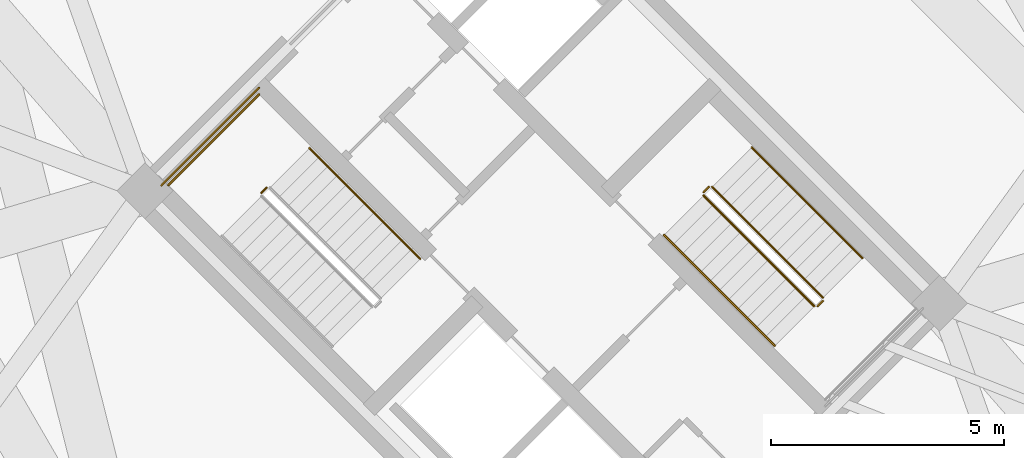
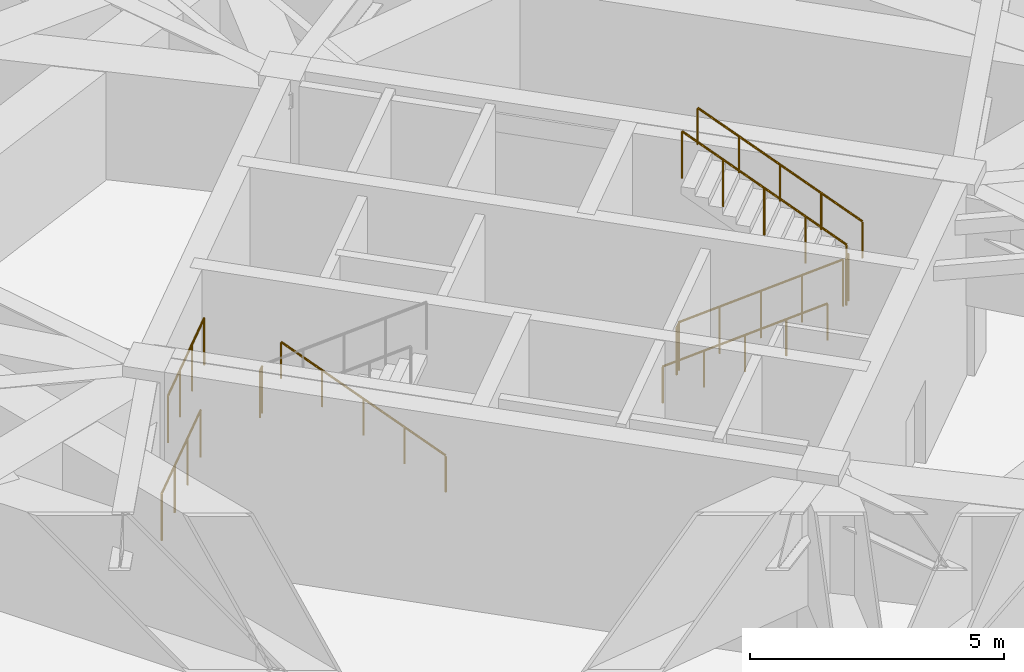
# One storey, part 24 of 25: 10 railings.
"""IFC4 building model written with IfcOpenShell, lengths in metres."""

from ifc_helpers import new_model, si_unit, direction, frame, origin, origin_2d, place, context, subcontext, project, spatial, circle, extrude, material, type_object, element, save


model = new_model("IFC4")

# Units and contexts
model_context = context("Model", 3, precision=1e-05, world=origin(), true_north=direction((0.0, 1.0)))
body_context = subcontext(model_context, "Body", "Model", "MODEL_VIEW")
ifc_project = project(units=[si_unit("LENGTHUNIT", "METRE"), si_unit("AREAUNIT", "SQUARE_METRE"), si_unit("VOLUMEUNIT", "CUBIC_METRE"), si_unit("PLANEANGLEUNIT", "RADIAN"), si_unit("MASSUNIT", "GRAM", prefix="KILO")], contexts=[model_context])

# Site, building, storey
site_placement = place(None, origin())
site = spatial("IfcSite", under=ifc_project, at=site_placement, CompositionType="ELEMENT")
building_placement = place(site_placement, origin())
building = spatial("IfcBuilding", under=site, at=building_placement, Name="Cununo Teusaquillo Station Towers", CompositionType="ELEMENT")
storey_placement = place(building_placement, frame((0.0, 0.0, 17.39990234375)))
storey = spatial("IfcBuildingStorey", under=building, at=storey_placement, Name="L04", CompositionType="ELEMENT", Elevation=17.39990234375)

# Railings
ifc_material_1 = material(Name="Steel EN 10025-2 S355J2", Category="steel")
railing_type_1 = type_object("IfcRailingType", Name="RL-INT-GUARD", PredefinedType="GUARDRAIL", material=ifc_material_1)
railing_1_placement = place(storey_placement, frame((51.588623046875, 25.772705078125, 2.300048828125)))
element("IfcRailing", 1, at=railing_1_placement, inside=storey, type_object=railing_type_1, Name="L04 ST-T2-1 stair guard 2", PredefinedType="GUARDRAIL", context=body_context, shape_type="SweptSolid", body=[
    extrude(circle(Radius=0.02392578125, at=origin_2d()), frame((0.0, 0.0, 1.1259765625), z_axis=(-0.707106781187, -0.707106781187, 0.0), x_axis=(0.707106781187, -0.707106781187, 0.0)), (0.0, 0.0, 1.0), 0.159912109375),
    extrude(circle(Radius=0.02099609375, at=origin_2d()), origin(), (0.0, 0.0, 1.0), 1.101806640625),
    extrude(circle(Radius=0.02099609375, at=origin_2d()), frame((-0.113037109375, -0.113037109375, 0.0)), (0.0, 0.0, 1.0), 1.101806640625),
])
railing_2_placement = place(storey_placement, frame((51.426025390625, 27.77392578125, 2.300048828125)))
element("IfcRailing", 2, at=railing_2_placement, inside=storey, type_object=railing_type_1, Name="L04 ST-T2-1 stair guard 3", PredefinedType="GUARDRAIL", context=body_context, shape_type="SweptSolid", body=[
    extrude(circle(Radius=0.02392578125, at=origin_2d()), frame((0.0, 0.0, 1.1259765625), z_axis=(-0.707106781187, -0.707106781187, 0.0), x_axis=(0.707106781187, -0.707106781187, 0.0)), (0.0, 0.0, 1.0), 2.760009765625),
    extrude(circle(Radius=0.02099609375, at=origin_2d()), origin(), (0.0, 0.0, 1.0), 1.101806640625),
    extrude(circle(Radius=0.02099609375, at=origin_2d()), frame((-0.650634765625, -0.650634765625, 0.0)), (0.0, 0.0, 1.0), 1.101806640625),
    extrude(circle(Radius=0.02099609375, at=origin_2d()), frame((-1.301025390625, -1.301025390625, 0.0)), (0.0, 0.0, 1.0), 1.101806640625),
    extrude(circle(Radius=0.02099609375, at=origin_2d()), frame((-1.95166015625, -1.95166015625, 0.0)), (0.0, 0.0, 1.0), 1.101806640625),
])
railing_3_placement = place(storey_placement, frame((51.426025390625, 27.915283203125, 0.0)))
element("IfcRailing", 3, at=railing_3_placement, inside=storey, type_object=railing_type_1, Name="L04 ST-T2-1 stair guard 6", PredefinedType="GUARDRAIL", context=body_context, shape_type="SweptSolid", body=[
    extrude(circle(Radius=0.02392578125, at=origin_2d()), frame((0.0, 0.0, 1.1259765625), z_axis=(-0.707106781187, -0.707106781187, 0.0), x_axis=(0.707106781187, -0.707106781187, 0.0)), (0.0, 0.0, 1.0), 2.9599609375),
    extrude(circle(Radius=0.02099609375, at=origin_2d()), origin(), (0.0, 0.0, 1.0), 1.101806640625),
    extrude(circle(Radius=0.02099609375, at=origin_2d()), frame((-0.69775390625, -0.69775390625, 0.0)), (0.0, 0.0, 1.0), 1.101806640625),
    extrude(circle(Radius=0.02099609375, at=origin_2d()), frame((-1.395263671875, -1.395263671875, 0.0)), (0.0, 0.0, 1.0), 1.101806640625),
    extrude(circle(Radius=0.02099609375, at=origin_2d()), frame((-2.093017578125, -2.093017578125, 0.0)), (0.0, 0.0, 1.0), 1.101806640625),
])
railing_4_placement = place(storey_placement, frame((60.96484375, 25.60302734375, 0.177001953125)))
element("IfcRailing", 4, at=railing_4_placement, inside=storey, type_object=railing_type_1, Name="L04 ST-T2-2 stair guard 1", PredefinedType="GUARDRAIL", context=body_context, shape_type="SweptSolid", body=[
    extrude(circle(Radius=0.02392578125, at=origin_2d()), frame((0.0, 0.0, 1.1259765625), z_axis=(0.597764783284, -0.597764783284, 0.534185855045), x_axis=(0.707106781187, 0.707106781187, 0.0)), (0.0, 0.0, 1.0), 3.974365234375),
    extrude(circle(Radius=0.02099609375, at=origin_2d()), origin(), (0.0, 0.0, 1.0), 1.101806640625),
    extrude(circle(Radius=0.02099609375, at=origin_2d()), frame((0.593994140625, -0.593994140625, 0.53076171875)), (0.0, 0.0, 1.0), 1.101806640625),
    extrude(circle(Radius=0.02099609375, at=origin_2d()), frame((1.18798828125, -1.18798828125, 1.0615234375)), (0.0, 0.0, 1.0), 1.101806640625),
    extrude(circle(Radius=0.02099609375, at=origin_2d()), frame((1.78173828125, -1.78173828125, 1.59228515625)), (0.0, 0.0, 1.0), 1.101806640625),
    extrude(circle(Radius=0.02099609375, at=origin_2d()), frame((2.375732421875, -2.375732421875, 2.123046875)), (0.0, 0.0, 1.0), 1.101806640625),
])
railing_5_placement = place(storey_placement, frame((63.411376953125, 23.227294921875, 2.300048828125)))
element("IfcRailing", 5, at=railing_5_placement, inside=storey, type_object=railing_type_1, Name="L04 ST-T2-2 stair guard 2", PredefinedType="GUARDRAIL", context=body_context, shape_type="SweptSolid", body=[
    extrude(circle(Radius=0.02392578125, at=origin_2d()), frame((0.0, 0.0, 1.1259765625), z_axis=(0.707106781187, 0.707106781187, 0.0), x_axis=(-0.707106781187, 0.707106781187, 0.0)), (0.0, 0.0, 1.0), 0.159912109375),
    extrude(circle(Radius=0.02099609375, at=origin_2d()), origin(), (0.0, 0.0, 1.0), 1.101806640625),
    extrude(circle(Radius=0.02099609375, at=origin_2d()), frame((0.113037109375, 0.113037109375, 0.0)), (0.0, 0.0, 1.0), 1.101806640625),
])
railing_6_placement = place(storey_placement, frame((63.5244140625, 23.4111328125, 2.47705078125)))
element("IfcRailing", 6, at=railing_6_placement, inside=storey, type_object=railing_type_1, Name="L04 ST-T2-2 stair guard 4", PredefinedType="GUARDRAIL", context=body_context, shape_type="SweptSolid", body=[
    extrude(circle(Radius=0.02392578125, at=origin_2d()), frame((0.0, 0.0, 1.1259765625), z_axis=(-0.597764783284, 0.597764783284, 0.534185855045), x_axis=(-0.707106781187, -0.707106781187, 0.0)), (0.0, 0.0, 1.0), 3.974365234375),
    extrude(circle(Radius=0.02099609375, at=origin_2d()), origin(), (0.0, 0.0, 1.0), 1.101806640625),
    extrude(circle(Radius=0.02099609375, at=origin_2d()), frame((-0.593994140625, 0.593994140625, 0.53076171875)), (0.0, 0.0, 1.0), 1.101806640625),
    extrude(circle(Radius=0.02099609375, at=origin_2d()), frame((-1.18798828125, 1.18798828125, 1.0615234375)), (0.0, 0.0, 1.0), 1.101806640625),
    extrude(circle(Radius=0.02099609375, at=origin_2d()), frame((-1.78173828125, 1.78173828125, 1.59228515625)), (0.0, 0.0, 1.0), 1.101806640625),
    extrude(circle(Radius=0.02099609375, at=origin_2d()), frame((-2.375732421875, 2.375732421875, 2.123046875)), (0.0, 0.0, 1.0), 1.101806640625),
])
railing_7_placement = place(storey_placement, frame((60.96484375, 25.673828125, 0.0)))
element("IfcRailing", 7, at=railing_7_placement, inside=storey, type_object=railing_type_1, Name="L04 ST-T2-2 stair guard 5", PredefinedType="GUARDRAIL", context=body_context, shape_type="SweptSolid", body=[
    extrude(circle(Radius=0.02392578125, at=origin_2d()), frame((0.0, 0.0, 1.1259765625), z_axis=(0.707106781187, 0.707106781187, 0.0), x_axis=(-0.707106781187, 0.707106781187, 0.0)), (0.0, 0.0, 1.0), 0.159912109375),
    extrude(circle(Radius=0.02099609375, at=origin_2d()), origin(), (0.0, 0.0, 1.0), 1.101806640625),
    extrude(circle(Radius=0.02099609375, at=origin_2d()), frame((0.113037109375, 0.113037109375, 0.0)), (0.0, 0.0, 1.0), 1.101806640625),
])
ifc_material_2 = material(Name="Steel EN 10025-2 S355J2", Category="steel")
railing_type_2 = type_object("IfcRailingType", Name="RL-INT-HRAIL", PredefinedType="HANDRAIL", material=ifc_material_2)
railing_8_placement = place(storey_placement, frame((54.8837890625, 24.245361328125, 0.177001953125)))
element("IfcRailing", 8, at=railing_8_placement, inside=storey, type_object=railing_type_2, Name="L04 ST-T2-1 stair handrail 1", PredefinedType="HANDRAIL", context=body_context, shape_type="SweptSolid", body=[
    extrude(circle(Radius=0.02392578125, at=origin_2d()), frame((0.0, 0.0, 0.8759765625), z_axis=(-0.597782310373, 0.597782310373, 0.534146626696), x_axis=(-0.707106781187, -0.707106781187, 0.0)), (0.0, 0.0, 1.0), 3.974609375),
    extrude(circle(Radius=0.02099609375, at=origin_2d()), origin(), (0.0, 0.0, 1.0), 0.851806640625),
    extrude(circle(Radius=0.02099609375, at=origin_2d()), frame((-0.593994140625, 0.593994140625, 0.53076171875)), (0.0, 0.0, 1.0), 0.851806640625),
    extrude(circle(Radius=0.02099609375, at=origin_2d()), frame((-1.18798828125, 1.18798828125, 1.0615234375)), (0.0, 0.0, 1.0), 0.851806640625),
    extrude(circle(Radius=0.02099609375, at=origin_2d()), frame((-1.781982421875, 1.781982421875, 1.59228515625)), (0.0, 0.0, 1.0), 0.851806640625),
    extrude(circle(Radius=0.02099609375, at=origin_2d()), frame((-2.3759765625, 2.3759765625, 2.123046875)), (0.0, 0.0, 1.0), 0.851806640625),
])
railing_9_placement = place(storey_placement, frame((60.1162109375, 24.754638671875, 0.177001953125)))
element("IfcRailing", 9, at=railing_9_placement, inside=storey, type_object=railing_type_2, Name="L04 ST-T2-2 stair handrail 1", PredefinedType="HANDRAIL", context=body_context, shape_type="SweptSolid", body=[
    extrude(circle(Radius=0.02392578125, at=origin_2d()), frame((0.0, 0.0, 0.8759765625), z_axis=(0.597782310373, -0.597782310373, 0.534146626696), x_axis=(0.707106781187, 0.707106781187, 0.0)), (0.0, 0.0, 1.0), 3.974609375),
    extrude(circle(Radius=0.02099609375, at=origin_2d()), origin(), (0.0, 0.0, 1.0), 0.851806640625),
    extrude(circle(Radius=0.02099609375, at=origin_2d()), frame((0.593994140625, -0.593994140625, 0.53076171875)), (0.0, 0.0, 1.0), 0.851806640625),
    extrude(circle(Radius=0.02099609375, at=origin_2d()), frame((1.18798828125, -1.18798828125, 1.0615234375)), (0.0, 0.0, 1.0), 0.851806640625),
    extrude(circle(Radius=0.02099609375, at=origin_2d()), frame((1.781982421875, -1.781982421875, 1.59228515625)), (0.0, 0.0, 1.0), 0.851806640625),
    extrude(circle(Radius=0.02099609375, at=origin_2d()), frame((2.3759765625, -2.3759765625, 2.123046875)), (0.0, 0.0, 1.0), 0.851806640625),
])
railing_10_placement = place(storey_placement, frame((64.373046875, 24.259521484375, 2.47705078125)))
element("IfcRailing", 10, at=railing_10_placement, inside=storey, type_object=railing_type_2, Name="L04 ST-T2-2 stair handrail 2", PredefinedType="HANDRAIL", context=body_context, shape_type="SweptSolid", body=[
    extrude(circle(Radius=0.02392578125, at=origin_2d()), frame((0.0, 0.0, 0.8759765625), z_axis=(-0.597782310373, 0.597782310373, 0.534146626696), x_axis=(-0.707106781187, -0.707106781187, 0.0)), (0.0, 0.0, 1.0), 3.974609375),
    extrude(circle(Radius=0.02099609375, at=origin_2d()), origin(), (0.0, 0.0, 1.0), 0.851806640625),
    extrude(circle(Radius=0.02099609375, at=origin_2d()), frame((-0.593994140625, 0.593994140625, 0.53076171875)), (0.0, 0.0, 1.0), 0.851806640625),
    extrude(circle(Radius=0.02099609375, at=origin_2d()), frame((-1.18798828125, 1.18798828125, 1.0615234375)), (0.0, 0.0, 1.0), 0.851806640625),
    extrude(circle(Radius=0.02099609375, at=origin_2d()), frame((-1.781982421875, 1.781982421875, 1.59228515625)), (0.0, 0.0, 1.0), 0.851806640625),
    extrude(circle(Radius=0.02099609375, at=origin_2d()), frame((-2.3759765625, 2.3759765625, 2.123046875)), (0.0, 0.0, 1.0), 0.851806640625),
])

save(model, "model.ifc")
